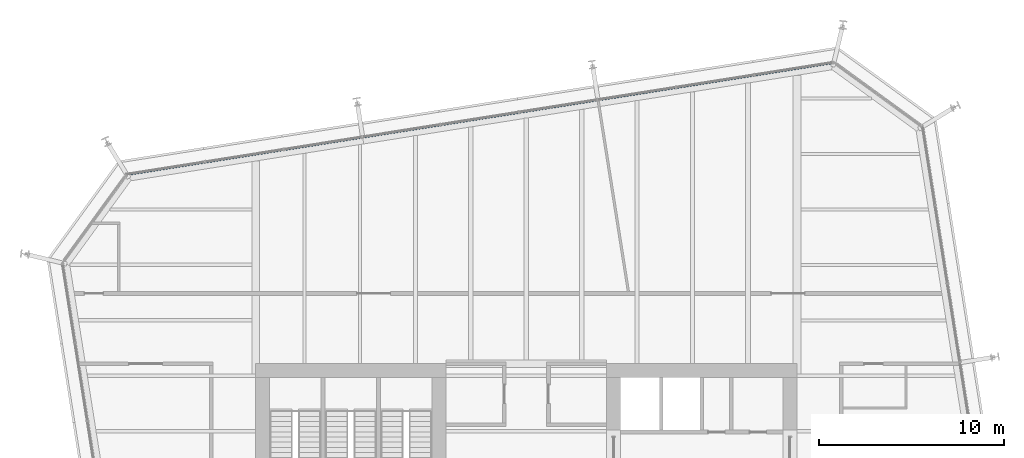
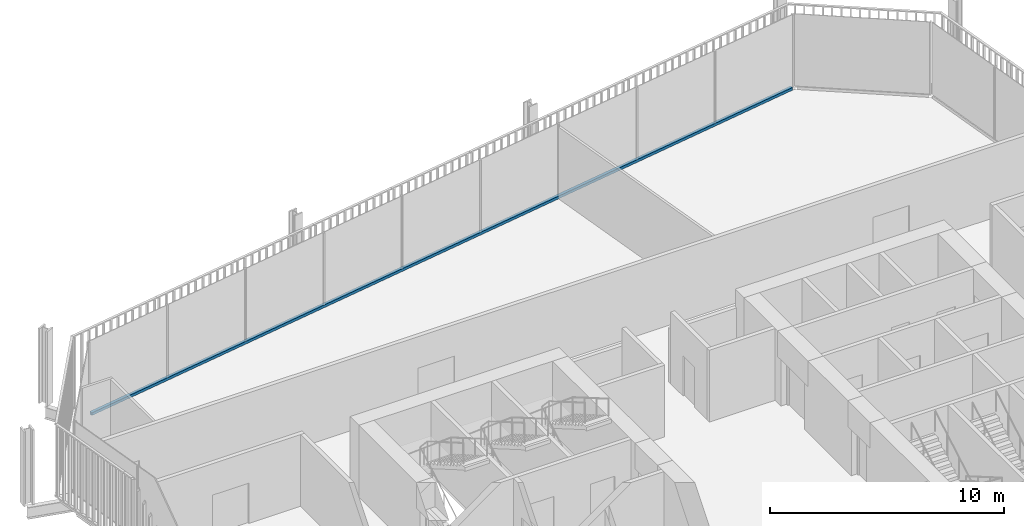
# One storey, part 12 of 21: 1 member, 1 element without a shape of its own.
"""IFC4 building model written with IfcOpenShell, lengths in metres."""

from ifc_helpers import new_model, si_unit, direction, frame, origin, origin_2d, place, context, subcontext, project, spatial, rectangle, extrude, material, layer, layer_set, material_profile, profile_set, type_object, element, aggregate, save


model = new_model("IFC4")

# Units and contexts
model_context = context("Model", 3, precision=1e-05, world=origin(), true_north=direction((0.0, 1.0)))
body_context = subcontext(model_context, "Body", "Model", "MODEL_VIEW")
ifc_project = project(units=[si_unit("LENGTHUNIT", "METRE"), si_unit("AREAUNIT", "SQUARE_METRE"), si_unit("VOLUMEUNIT", "CUBIC_METRE"), si_unit("PLANEANGLEUNIT", "RADIAN"), si_unit("MASSUNIT", "GRAM", prefix="KILO")], contexts=[model_context])

# Site, building, storey
site_placement = place(None, origin())
site = spatial("IfcSite", under=ifc_project, at=site_placement, CompositionType="ELEMENT")
building_placement = place(site_placement, origin())
building = spatial("IfcBuilding", under=site, at=building_placement, Name="Millrace Tower", CompositionType="ELEMENT")
storey_placement = place(building_placement, frame((0.0, 0.0, 141.199951171875)))
storey = spatial("IfcBuildingStorey", under=building, at=storey_placement, Name="L31", CompositionType="ELEMENT", Elevation=141.199951171875)

# Curtain wall, member
ifc_material_1 = material(Name="Aluminium and glass", Category="aluminium")
ifc_layer = layer(ifc_material_1, 0.14990234375)
ifc_layer_set = layer_set([ifc_layer], Name="Aluminium and glass")
curtain_wall_type = type_object("IfcCurtainWallType", Name="CW-1 office vision curtain wall", PredefinedType="NOTDEFINED", material=ifc_layer_set)
curtain_wall_placement = place(storey_placement, origin())
curtain_wall = element("IfcCurtainWall", 1, at=curtain_wall_placement, inside=storey, type_object=curtain_wall_type, Name="Curtain wall C-F06 L31", PredefinedType="NOTDEFINED")
ifc_material_2 = material(Name="Aluminium", Category="aluminium")
ifc_material_profile = material_profile(ifc_material_2, rectangle(XDim=0.14990234375, YDim=0.139892578125, at=origin_2d()))
ifc_profile_set = profile_set([ifc_material_profile], Name="Aluminium")
member_type = type_object("IfcMemberType", Name="CW-1 office vision curtain wall transom", PredefinedType="USERDEFINED", material=ifc_profile_set)
member_placement = place(storey_placement, frame((16.525146484375, 25.946044921875, 0.070068359375), z_axis=(-0.987688505691, -0.156433422663, 0.0), x_axis=(0.156433422663, -0.987688505691, 0.0)))
member = element("IfcMember", 2, at=member_placement, type_object=member_type, Name="CW1 transom C-F06.1", ObjectType="TRANSOM", PredefinedType="USERDEFINED", context=body_context, shape_type="SweptSolid", body=[
    extrude(rectangle(XDim=0.14990234375, YDim=0.139892578125, at=origin_2d()), origin(), (0.0, 0.0, 1.0), 38.5),
])
aggregate(curtain_wall, [member])

save(model, "model.ifc")
